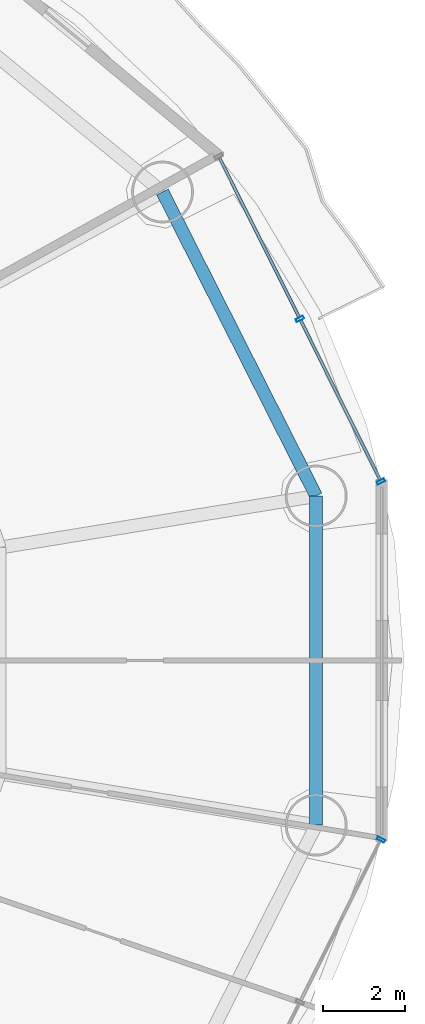
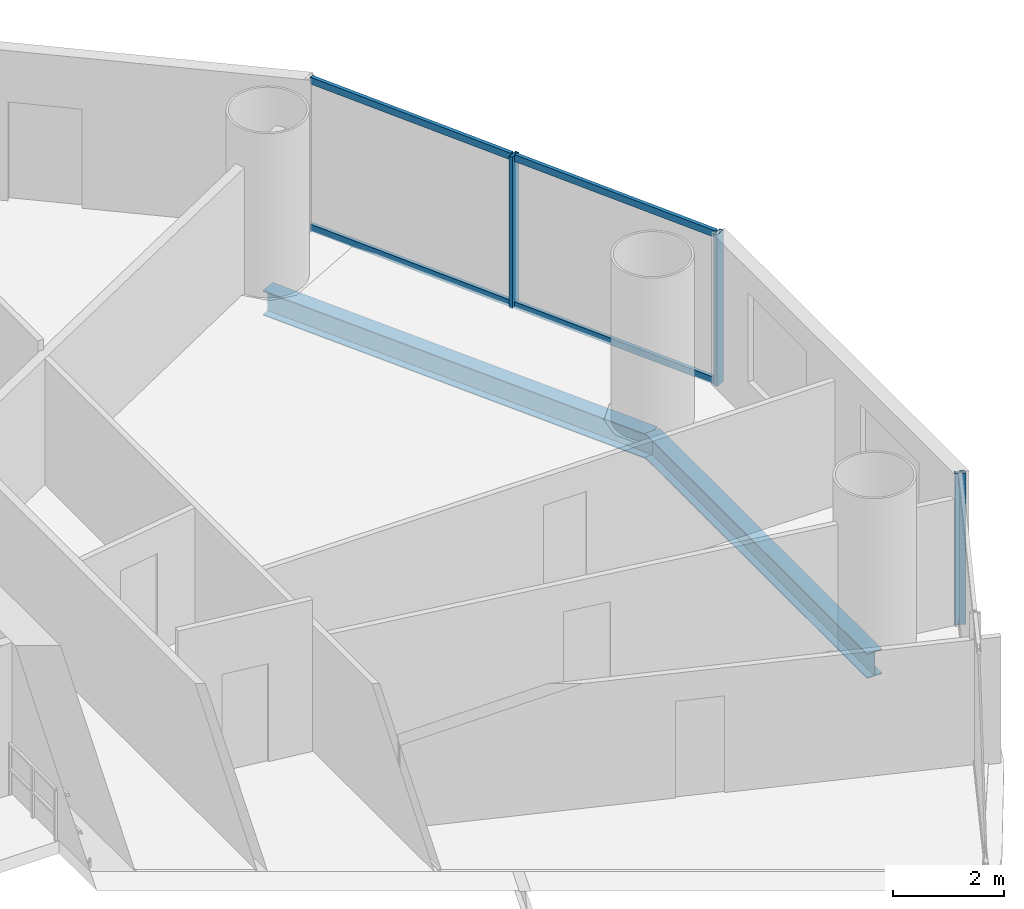
# One storey, part 15 of 29: 7 members, 2 beams, 2 elements without a shape of their own.
"""IFC4 building model written with IfcOpenShell, lengths in metres."""

from ifc_helpers import new_model, si_unit, direction, frame, origin, origin_2d, place, context, subcontext, project, spatial, hollow_rectangle, i_section, extrude, source, transform, mapped, material, material_profile, profile_set, type_object, element, aggregate, save


model = new_model("IFC4")

# Units and contexts
model_context = context("Model", 3, precision=1e-05, world=origin(), true_north=direction((-0.2419218956, 0.970295726276)))
body_context = subcontext(model_context, "Body", "Model", "MODEL_VIEW")
ifc_project = project(units=[si_unit("LENGTHUNIT", "METRE"), si_unit("AREAUNIT", "SQUARE_METRE"), si_unit("VOLUMEUNIT", "CUBIC_METRE"), si_unit("PLANEANGLEUNIT", "RADIAN"), si_unit("MASSUNIT", "GRAM", prefix="KILO")], contexts=[model_context])

# Site, building, storey
site_placement = place(None, origin())
site = spatial("IfcSite", under=ifc_project, at=site_placement, CompositionType="ELEMENT")
building_placement = place(site_placement, origin())
building = spatial("IfcBuilding", under=site, at=building_placement, Name="Cobrevalo Terracotta Tower", CompositionType="ELEMENT")
storey_placement = place(building_placement, frame((0.0, 0.0, 90.60009765625)))
storey = spatial("IfcBuildingStorey", under=building, at=storey_placement, Name="L23", CompositionType="ELEMENT", Elevation=90.60009765625)

# Beams
ifc_material_1 = material(Name="Steel S355", Category="steel")
ifc_material_profile_1 = material_profile(ifc_material_1, i_section(OverallWidth=0.31201171875, OverallDepth=0.54296875, WebThickness=0.0126953125, FlangeThickness=0.020263671875, at=origin_2d()), Name="W 530x150")
ifc_profile_set_1 = profile_set([ifc_material_profile_1], Name="Steel S355")
beam_type = type_object("IfcBeamType", Name="Structural Spandrel W 530x150 (Steel S355)", PredefinedType="SPANDREL", material=ifc_profile_set_1)
beam_1_placement = place(storey_placement, frame((62.470703125, 30.78955078125, -0.546630859375), z_axis=(-0.451051982172, 0.892497680321, 0.0), x_axis=(-0.892497680321, -0.451051982172, 0.0)))
element("IfcBeam", 1, at=beam_1_placement, inside=storey, type_object=beam_type, Name="L23 perimeter ring spandrel 01", PredefinedType="SPANDREL", context=body_context, shape_type="SweptSolid", body=[
    extrude(i_section(OverallWidth=0.31201171875, OverallDepth=0.54296875, WebThickness=0.0126953125, FlangeThickness=0.020263671875, at=origin_2d()), origin(), (0.0, 0.0, 1.0), 8.259765625),
])
beam_2_placement = place(storey_placement, frame((62.470703125, 22.810302734375, -0.546630859375), z_axis=(0.0, 1.0, 0.0), x_axis=(-1.0, 0.0, 0.0)))
element("IfcBeam", 2, at=beam_2_placement, inside=storey, type_object=beam_type, Name="L23 perimeter ring spandrel 16", PredefinedType="SPANDREL", context=body_context, shape_type="SweptSolid", body=[
    extrude(i_section(OverallWidth=0.31201171875, OverallDepth=0.54296875, WebThickness=0.0126953125, FlangeThickness=0.020263671875, at=origin_2d()), origin(), (0.0, 0.0, 1.0), 7.979248046875),
])

# Curtain wall, members
ifc_material_2 = material(Name="Anodized aluminium", Category="aluminium")
curtain_wall_type = type_object("IfcCurtainWallType", Name="Lower-tower unitised acoustic low-E curtain wall CW-U1", PredefinedType="NOTDEFINED", material=ifc_material_2)
curtain_wall_1_placement = place(storey_placement, origin())
curtain_wall_1 = element("IfcCurtainWall", 3, at=curtain_wall_1_placement, inside=storey, type_object=curtain_wall_type, Name="L23 curtain wall CW-L23-S01", PredefinedType="NOTDEFINED")
ifc_material_profile_2 = material_profile(ifc_material_2, hollow_rectangle(XDim=0.074951171875, YDim=0.199951171875, WallThickness=0.0048828125, at=origin_2d()), Name="CWM 75x200")
ifc_profile_set_2 = profile_set([ifc_material_profile_2], Name="Anodized aluminium")
member_type_1 = type_object("IfcMemberType", Name="Lower/mid tower unitised mullion 75x200", PredefinedType="MULLION", material=ifc_profile_set_2)
shared_shape_1 = source(origin(), body_context, "Body", "SweptSolid", [
    extrude(hollow_rectangle(XDim=0.074951171875, YDim=0.199951171875, WallThickness=0.0048828125, at=origin_2d()), origin(), (0.0, 0.0, 1.0), 3.324951171875),
])
member_1_placement = place(storey_placement, frame((64.04150390625, 31.141357421875, 0.0), z_axis=(0.0, 0.0, 1.0), x_axis=(-0.446260290227, 0.894903208937, 0.0)))
member_1 = element("IfcMember", 4, at=member_1_placement, type_object=member_type_1, Name="CW-L23-S01 vertical mullion 01", PredefinedType="MULLION", context=body_context, shape_type="MappedRepresentation", body=[
    mapped(shared_shape_1, transform((0.0, 0.0, 0.0), scale=1.0)),
])
member_2_placement = place(storey_placement, frame((62.075927734375, 35.08349609375, 0.0), z_axis=(0.0, 0.0, 1.0), x_axis=(-0.446260290227, 0.894903208937, 0.0)))
member_2 = element("IfcMember", 5, at=member_2_placement, type_object=member_type_1, Name="CW-L23-S01 vertical mullion 02", PredefinedType="MULLION", context=body_context, shape_type="MappedRepresentation", body=[
    mapped(shared_shape_1, transform((0.0, 0.0, 0.0), scale=1.0)),
])

# Curtain wall, member
curtain_wall_2_placement = place(storey_placement, origin())
curtain_wall_2 = element("IfcCurtainWall", 6, at=curtain_wall_2_placement, inside=storey, type_object=curtain_wall_type, Name="L23 curtain wall CW-L23-S15", PredefinedType="NOTDEFINED")
member_3_placement = place(storey_placement, frame((64.04150390625, 22.45849609375, 0.0), z_axis=(0.0, 0.0, 1.0), x_axis=(0.446260290227, 0.894903208937, 0.0)))
member_3 = element("IfcMember", 7, at=member_3_placement, type_object=member_type_1, Name="CW-L23-S15 vertical mullion 03", PredefinedType="MULLION", context=body_context, shape_type="MappedRepresentation", body=[
    mapped(shared_shape_1, transform((0.0, 0.0, 0.0), scale=1.0)),
])
aggregate(curtain_wall_2, [member_3])

# Member
ifc_material_profile_3 = material_profile(ifc_material_2, hollow_rectangle(XDim=0.074951171875, YDim=0.14990234375, WallThickness=0.00439453125, at=origin_2d()), Name="CWT 75x150")
ifc_profile_set_3 = profile_set([ifc_material_profile_3], Name="Anodized aluminium")
member_type_2 = type_object("IfcMemberType", Name="Tower unitised aluminium transom 75x150", PredefinedType="USERDEFINED", material=ifc_profile_set_3)
shared_shape_2 = source(origin(), body_context, "Body", "SweptSolid", [
    extrude(hollow_rectangle(XDim=0.074951171875, YDim=0.14990234375, WallThickness=0.00439453125, at=origin_2d()), origin(), (0.0, 0.0, 1.0), 4.324951171875),
])
member_4_placement = place(storey_placement, frame((64.023681640625, 31.17724609375, 0.0498046875), z_axis=(-0.446219838389, 0.894923379864, 0.0), x_axis=(-0.894923379864, -0.446219838389, 0.0)))
member_4 = element("IfcMember", 8, at=member_4_placement, type_object=member_type_2, Name="CW-L23-S01 transom B01-T1", ObjectType="TRANSOM", PredefinedType="USERDEFINED", context=body_context, shape_type="MappedRepresentation", body=[
    mapped(shared_shape_2, transform((0.0, 0.0, 0.0), scale=1.0)),
])

member_5_placement = place(storey_placement, frame((64.023681640625, 31.17724609375, 3.27490234375), z_axis=(-0.446219838389, 0.894923379864, 0.0), x_axis=(-0.894923379864, -0.446219838389, 0.0)))
member_5 = element("IfcMember", 9, at=member_5_placement, type_object=member_type_2, Name="CW-L23-S01 transom B01-T2", ObjectType="TRANSOM", PredefinedType="USERDEFINED", context=body_context, shape_type="MappedRepresentation", body=[
    mapped(shared_shape_2, transform((0.0, 0.0, 0.0), scale=1.0)),
])

member_6_placement = place(storey_placement, frame((62.057861328125, 35.119384765625, 0.0498046875), z_axis=(-0.44624238083, 0.894912139571, 0.0), x_axis=(-0.894912139571, -0.44624238083, 0.0)))
member_6 = element("IfcMember", 10, at=member_6_placement, type_object=member_type_2, Name="CW-L23-S01 transom B02-T1", ObjectType="TRANSOM", PredefinedType="USERDEFINED", context=body_context, shape_type="MappedRepresentation", body=[
    mapped(shared_shape_2, transform((0.0, 0.0, 0.0), scale=1.0)),
])

member_7_placement = place(storey_placement, frame((62.057861328125, 35.119384765625, 3.27490234375), z_axis=(-0.44624238083, 0.894912139571, 0.0), x_axis=(-0.894912139571, -0.44624238083, 0.0)))
member_7 = element("IfcMember", 11, at=member_7_placement, type_object=member_type_2, Name="CW-L23-S01 transom B02-T2", ObjectType="TRANSOM", PredefinedType="USERDEFINED", context=body_context, shape_type="MappedRepresentation", body=[
    mapped(shared_shape_2, transform((0.0, 0.0, 0.0), scale=1.0)),
])

aggregate(curtain_wall_1, [member_1, member_2, member_4, member_5, member_6, member_7])

save(model, "model.ifc")
